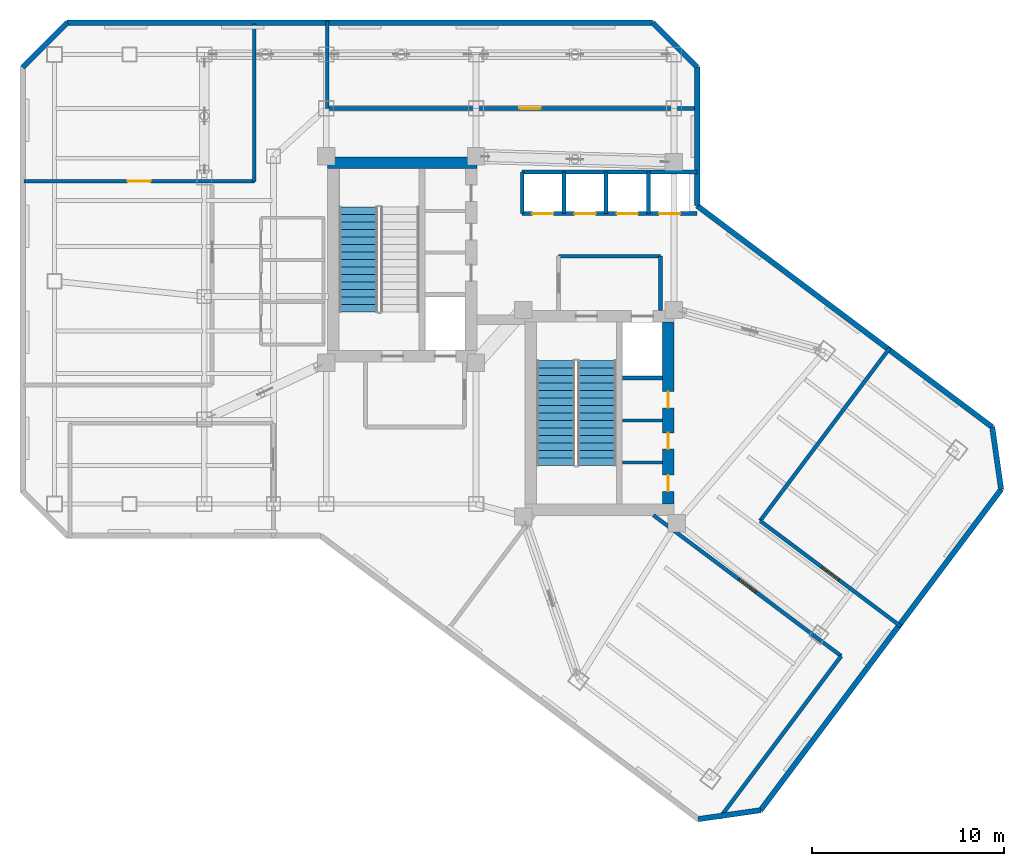
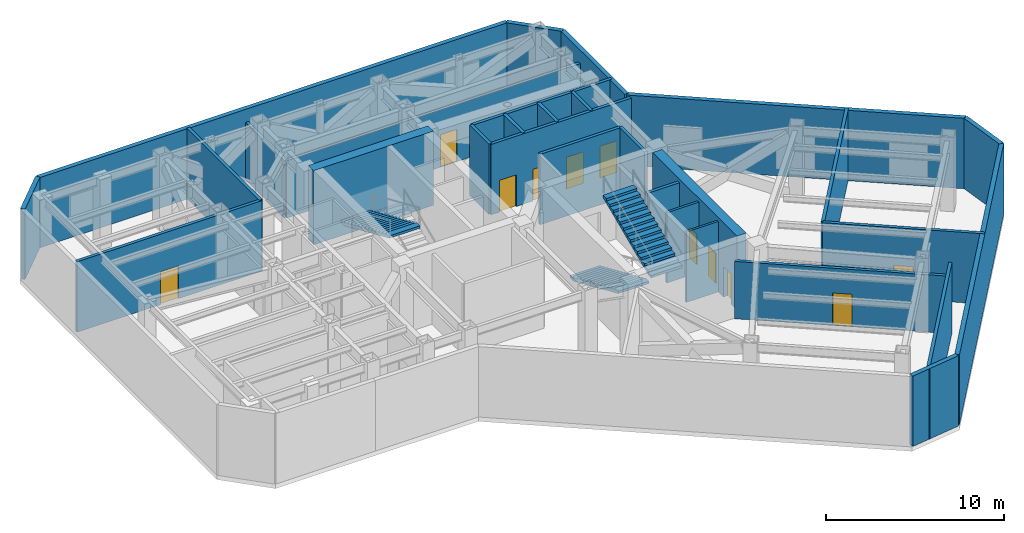
# One storey, part 8 of 12: 29 walls, 11 doors, 3 stair flights, 11 openings, 2 elements without a shape of their own.
"""IFC4 building model written with IfcOpenShell, lengths in metres."""

from ifc_helpers import new_model, si_unit, direction, frame, frame_2d, origin, place, context, subcontext, project, spatial, polyline, rectangle, outline, extrude, material, layer, layer_set, type_object, element, fill, aggregate, save


model = new_model("IFC4")

# Units and contexts
model_context = context("Model", 3, precision=1e-05, world=origin(), true_north=direction((0.0, 1.0)))
body_context = subcontext(model_context, "Body", "Model", "MODEL_VIEW")
ifc_project = project(units=[si_unit("LENGTHUNIT", "METRE"), si_unit("AREAUNIT", "SQUARE_METRE"), si_unit("VOLUMEUNIT", "CUBIC_METRE"), si_unit("PLANEANGLEUNIT", "RADIAN"), si_unit("MASSUNIT", "GRAM", prefix="KILO")], contexts=[model_context])

# Site, building, storey
site_placement = place(None, origin())
site = spatial("IfcSite", under=ifc_project, at=site_placement, CompositionType="ELEMENT")
building_placement = place(site_placement, origin())
building = spatial("IfcBuilding", under=site, at=building_placement, Name="Hatsunagi Terrace Concourse", CompositionType="ELEMENT")
storey_placement = place(building_placement, frame((0.0, 0.0, 181.64990234375)))
storey = spatial("IfcBuildingStorey", under=building, at=storey_placement, Name="L48", CompositionType="ELEMENT", Elevation=181.64990234375)

# Wall
ifc_material_1 = material(Name="Concrete Fc48", Category="concrete")
ifc_layer_1 = layer(ifc_material_1, 0.60009765625)
ifc_layer_set_1 = layer_set([ifc_layer_1], Name="CoreShearWall_Fc48_600")
wall_type_1 = type_object("IfcWallType", Name="CoreShearWall_Fc48_600", PredefinedType="SHEAR", material=ifc_layer_set_1)
wall_1_placement = place(storey_placement, frame((25.6201171875, 42.969970703125, 0.0), z_axis=(0.0, 0.0, 1.0), x_axis=(1.0, 0.0, 0.0)))
element("IfcWall", 1, at=wall_1_placement, inside=storey, type_object=wall_type_1, Name="Core A Shear Wall N L48", PredefinedType="SHEAR", context=body_context, shape_type="SweptSolid", body=[
    extrude(rectangle(XDim=7.77978515625, YDim=0.60009765625, at=frame_2d((3.889892578125, 0.0))), origin(), (0.0, 0.0, 1.0), 5.10009765625),
])

# Wall, openings, doors
wall_2_placement = place(storey_placement, frame((43.35009765625, 25.18994140625, 0.0), z_axis=(0.0, 0.0, 1.0), x_axis=(0.0, 1.0, 0.0)))
wall_2 = element("IfcWall", 2, at=wall_2_placement, inside=storey, type_object=wall_type_1, Name="Core B Shear Wall E L48", PredefinedType="SHEAR", context=body_context, shape_type="SweptSolid", body=[
    extrude(rectangle(XDim=9.47998046875, YDim=0.60009765625, at=frame_2d((4.739990234375, 0.0))), origin(), (0.0, 0.0, 1.0), 5.10009765625),
])
opening_1_placement = place(wall_2_placement, frame((0.659912109375, 0.0, 0.0)))
opening_1 = element("IfcOpeningElement", 3, at=opening_1_placement, cuts=wall_2, Name="Opening DR-085", PredefinedType="OPENING", context=body_context, shape_type="SweptSolid", body=[
    extrude(rectangle(XDim=0.85009765625, YDim=2.080078125, at=frame_2d((0.425048828125, 1.0400390625))), frame((0.0, 0.31005859375, 0.0), z_axis=(0.0, -1.0, 0.0), x_axis=(1.0, 0.0, 0.0)), (0.0, 0.0, 1.0), 0.6201171875),
])
opening_2_placement = place(wall_2_placement, frame((2.860107421875, 0.0, 0.0)))
opening_2 = element("IfcOpeningElement", 4, at=opening_2_placement, cuts=wall_2, Name="Opening DR-085", PredefinedType="OPENING", context=body_context, shape_type="SweptSolid", body=[
    extrude(rectangle(XDim=0.85009765625, YDim=2.080078125, at=frame_2d((0.425048828125, 1.0400390625))), frame((0.0, 0.31005859375, 0.0), z_axis=(0.0, -1.0, 0.0), x_axis=(1.0, 0.0, 0.0)), (0.0, 0.0, 1.0), 0.6201171875),
])
opening_3_placement = place(wall_2_placement, frame((5.010009765625, 0.0, 0.0)))
opening_3 = element("IfcOpeningElement", 5, at=opening_3_placement, cuts=wall_2, Name="Opening DR-085", PredefinedType="OPENING", context=body_context, shape_type="SweptSolid", body=[
    extrude(rectangle(XDim=0.85009765625, YDim=2.080078125, at=frame_2d((0.425048828125, 1.0400390625))), frame((0.0, 0.31005859375, 0.0), z_axis=(0.0, -1.0, 0.0), x_axis=(1.0, 0.0, 0.0)), (0.0, 0.0, 1.0), 0.6201171875),
])
ifc_material_2 = material(Name="Painted steel", Category="steel")
door_type_1 = type_object("IfcDoorType", Name="RiserAccessDoor_EI60_850", OperationType="NOTDEFINED", PredefinedType="DOOR", material=ifc_material_2)
door_1_placement = place(opening_1_placement, origin())
door_1 = element("IfcDoor", 6, at=door_1_placement, inside=storey, type_object=door_type_1, Name="Core B Riser Door L48-1", OperationType="SINGLE_SWING_RIGHT", OverallHeight=2.080078125, OverallWidth=0.85009765625, PredefinedType="DOOR", context=body_context, shape_type="SweptSolid", body=[
    extrude(rectangle(XDim=0.85009765625, YDim=2.080078125, at=frame_2d((0.425048828125, 1.0400390625))), frame((0.0, 0.02490234375, 0.0), z_axis=(0.0, -1.0, 0.0), x_axis=(1.0, 0.0, 0.0)), (0.0, 0.0, 1.0), 0.050048828125),
])
fill(opening_1, door_1)
door_2_placement = place(opening_2_placement, origin())
door_2 = element("IfcDoor", 7, at=door_2_placement, inside=storey, type_object=door_type_1, Name="Core B Riser Door L48-2", OperationType="SINGLE_SWING_RIGHT", OverallHeight=2.080078125, OverallWidth=0.85009765625, PredefinedType="DOOR", context=body_context, shape_type="SweptSolid", body=[
    extrude(rectangle(XDim=0.85009765625, YDim=2.080078125, at=frame_2d((0.425048828125, 1.0400390625))), frame((0.0, 0.02490234375, 0.0), z_axis=(0.0, -1.0, 0.0), x_axis=(1.0, 0.0, 0.0)), (0.0, 0.0, 1.0), 0.050048828125),
])
fill(opening_2, door_2)
door_3_placement = place(opening_3_placement, origin())
door_3 = element("IfcDoor", 8, at=door_3_placement, inside=storey, type_object=door_type_1, Name="Core B Riser Door L48-3", OperationType="SINGLE_SWING_RIGHT", OverallHeight=2.080078125, OverallWidth=0.85009765625, PredefinedType="DOOR", context=body_context, shape_type="SweptSolid", body=[
    extrude(rectangle(XDim=0.85009765625, YDim=2.080078125, at=frame_2d((0.425048828125, 1.0400390625))), frame((0.0, 0.02490234375, 0.0), z_axis=(0.0, -1.0, 0.0), x_axis=(1.0, 0.0, 0.0)), (0.0, 0.0, 1.0), 0.050048828125),
])
fill(opening_3, door_3)

# Walls
ifc_material_3 = material(Name="Acoustic mineral board", Category="gypsum")
ifc_layer_2 = layer(ifc_material_3, 0.14990234375)
ifc_layer_set_2 = layer_set([ifc_layer_2], Name="PartitionWall_EI60_150")
wall_type_2 = type_object("IfcWallType", Name="PartitionWall_EI60_150", PredefinedType="PARTITIONING", material=ifc_layer_set_2)
for number, where, z_axis, x_axis, name in (
    (9, (40.969970703125, 27.35009765625, 0.0), (0.0, 0.0, 1.0), (1.0, 0.0, 0.0), "Interior Partition IW-L48-005"),
    (10, (40.969970703125, 29.550048828125, 0.0), (0.0, 0.0, 1.0), (1.0, 0.0, 0.0), "Interior Partition IW-L48-006"),
):
    element("IfcWall", number, at=place(storey_placement, frame(where, z_axis=z_axis, x_axis=x_axis)), inside=storey, type_object=wall_type_2, Name=name, PredefinedType="PARTITIONING", context=body_context, shape_type="SweptSolid", body=[
        extrude(rectangle(XDim=2.080078125, YDim=0.14990234375, at=frame_2d((1.0400390625, 0.0))), origin(), (0.0, 0.0, 1.0), 4.840087890625),
    ])
ifc_material_4 = material(Name="Acoustic mineral board", Category="gypsum")
ifc_layer_3 = layer(ifc_material_4, 0.199951171875)
ifc_layer_set_3 = layer_set([ifc_layer_3], Name="ShaftWall_EI120_200")
wall_type_3 = type_object("IfcWallType", Name="ShaftWall_EI120_200", PredefinedType="STANDARD", material=ifc_layer_set_3)
wall_3_placement = place(storey_placement, frame((40.969970703125, 31.760009765625, 0.0), z_axis=(0.0, 0.0, 1.0), x_axis=(1.0, 0.0, 0.0)))
element("IfcWall", 11, at=wall_3_placement, inside=storey, type_object=wall_type_3, Name="Interior Partition IW-L48-004", PredefinedType="STANDARD", context=body_context, shape_type="SweptSolid", body=[
    extrude(rectangle(XDim=2.080078125, YDim=0.199951171875, at=frame_2d((1.0400390625, 0.0))), origin(), (0.0, 0.0, 1.0), 4.840087890625),
])
wall_4_placement = place(storey_placement, frame((37.64990234375, 38.10009765625, 0.0), z_axis=(0.0, 0.0, 1.0), x_axis=(1.0, 0.0, 0.0)))
element("IfcWall", 12, at=wall_4_placement, inside=storey, type_object=wall_type_3, Name="Interior Partition IW-L48-010", PredefinedType="STANDARD", context=body_context, shape_type="SweptSolid", body=[
    extrude(rectangle(XDim=5.300048828125, YDim=0.199951171875, at=frame_2d((2.64990234375, 0.0))), origin(), (0.0, 0.0, 1.0), 4.840087890625),
])
wall_5_placement = place(storey_placement, frame((42.949951171875, 35.27001953125, 0.0), z_axis=(0.0, 0.0, 1.0), x_axis=(0.0, 1.0, 0.0)))
element("IfcWall", 13, at=wall_5_placement, inside=storey, type_object=wall_type_3, Name="Interior Partition IW-L48-011", PredefinedType="STANDARD", context=body_context, shape_type="SweptSolid", body=[
    extrude(rectangle(XDim=2.830078125, YDim=0.199951171875, at=frame_2d((1.4150390625, 0.0))), origin(), (0.0, 0.0, 1.0), 4.840087890625),
])
wall_6_placement = place(storey_placement, frame((35.75, 42.47998046875, 0.0), z_axis=(0.0, 0.0, 1.0), x_axis=(1.0, 0.0, 0.0)))
element("IfcWall", 14, at=wall_6_placement, inside=storey, type_object=wall_type_3, Name="Interior Partition IW-L48-013", PredefinedType="STANDARD", context=body_context, shape_type="SweptSolid", body=[
    extrude(rectangle(XDim=9.110107421875, YDim=0.199951171875, at=frame_2d((4.55517578125, 0.0))), origin(), (0.0, 0.0, 1.0), 4.840087890625),
])
for number, where, z_axis, x_axis, name in (
    (15, (35.75, 40.320068359375, 0.0), (0.0, 0.0, 1.0), (0.0, 1.0, 0.0), "Interior Partition IW-L48-014"),
    (16, (37.919921875, 40.320068359375, 0.0), (0.0, 0.0, 1.0), (0.0, 1.0, 0.0), "Interior Partition IW-L48-015"),
    (17, (40.1201171875, 40.320068359375, 0.0), (0.0, 0.0, 1.0), (0.0, 1.0, 0.0), "Interior Partition IW-L48-016"),
    (18, (42.320068359375, 40.320068359375, 0.0), (0.0, 0.0, 1.0), (0.0, 1.0, 0.0), "Interior Partition IW-L48-017"),
):
    element("IfcWall", number, at=place(storey_placement, frame(where, z_axis=z_axis, x_axis=x_axis)), inside=storey, type_object=wall_type_3, Name=name, PredefinedType="STANDARD", context=body_context, shape_type="SweptSolid", body=[
        extrude(rectangle(XDim=2.159912109375, YDim=0.199951171875, at=frame_2d((1.080078125, 0.0))), origin(), (0.0, 0.0, 1.0), 4.840087890625),
    ])

# Wall, openings, doors
wall_7_placement = place(storey_placement, frame((35.75, 40.320068359375, 0.0), z_axis=(0.0, 0.0, 1.0), x_axis=(1.0, 0.0, 0.0)))
wall_7 = element("IfcWall", 19, at=wall_7_placement, inside=storey, type_object=wall_type_3, Name="Interior Partition IW-L48-018", PredefinedType="STANDARD", context=body_context, shape_type="SweptSolid", body=[
    extrude(rectangle(XDim=9.110107421875, YDim=0.199951171875, at=frame_2d((4.55517578125, 0.0))), origin(), (0.0, 0.0, 1.0), 4.840087890625),
])
opening_4_placement = place(wall_7_placement, frame((0.530029296875, 0.0, 0.0)))
opening_4 = element("IfcOpeningElement", 20, at=opening_4_placement, cuts=wall_7, Name="Opening LD-04", PredefinedType="OPENING", context=body_context, shape_type="SweptSolid", body=[
    extrude(rectangle(XDim=1.10009765625, YDim=2.179931640625, at=frame_2d((0.550048828125, 1.08984375))), frame((0.0, 0.10986328125, 0.0), z_axis=(0.0, -1.0, 0.0), x_axis=(1.0, 0.0, 0.0)), (0.0, 0.0, 1.0), 0.219970703125),
])
opening_5_placement = place(wall_7_placement, frame((2.72998046875, 0.0, 0.0)))
opening_5 = element("IfcOpeningElement", 21, at=opening_5_placement, cuts=wall_7, Name="Opening LD-04", PredefinedType="OPENING", context=body_context, shape_type="SweptSolid", body=[
    extrude(rectangle(XDim=1.10009765625, YDim=2.179931640625, at=frame_2d((0.550048828125, 1.08984375))), frame((0.0, 0.10986328125, 0.0), z_axis=(0.0, -1.0, 0.0), x_axis=(1.0, 0.0, 0.0)), (0.0, 0.0, 1.0), 0.219970703125),
])
opening_6_placement = place(wall_7_placement, frame((4.929931640625, 0.0, 0.0)))
opening_6 = element("IfcOpeningElement", 22, at=opening_6_placement, cuts=wall_7, Name="Opening LD-04", PredefinedType="OPENING", context=body_context, shape_type="SweptSolid", body=[
    extrude(rectangle(XDim=1.10009765625, YDim=2.179931640625, at=frame_2d((0.550048828125, 1.08984375))), frame((0.0, 0.10986328125, 0.0), z_axis=(0.0, -1.0, 0.0), x_axis=(1.0, 0.0, 0.0)), (0.0, 0.0, 1.0), 0.219970703125),
])
opening_7_placement = place(wall_7_placement, frame((7.1298828125, 0.0, 0.0)))
opening_7 = element("IfcOpeningElement", 23, at=opening_7_placement, cuts=wall_7, Name="Opening LD-04", PredefinedType="OPENING", context=body_context, shape_type="SweptSolid", body=[
    extrude(rectangle(XDim=1.10009765625, YDim=2.179931640625, at=frame_2d((0.550048828125, 1.08984375))), frame((0.0, 0.10986328125, 0.0), z_axis=(0.0, -1.0, 0.0), x_axis=(1.0, 0.0, 0.0)), (0.0, 0.0, 1.0), 0.219970703125),
])
ifc_material_5 = material(Name="Stainless steel", Category="steel")
door_type_2 = type_object("IfcDoorType", Name="LiftLandingDoor_LD04", OperationType="SLIDING_TO_RIGHT", PredefinedType="USERDEFINED", material=ifc_material_5)
door_4_placement = place(opening_4_placement, origin())
door_4 = element("IfcDoor", 24, at=door_4_placement, inside=storey, type_object=door_type_2, Name="Lift landing door PL-05 L48", ObjectType="SLIDING_LANDING_DOOR", OperationType="SLIDING_TO_RIGHT", OverallHeight=2.179931640625, OverallWidth=1.10009765625, PredefinedType="USERDEFINED", context=body_context, shape_type="SweptSolid", body=[
    extrude(rectangle(XDim=1.10009765625, YDim=2.179931640625, at=frame_2d((0.550048828125, 1.08984375))), frame((0.0, 0.02490234375, 0.0), z_axis=(0.0, -1.0, 0.0), x_axis=(1.0, 0.0, 0.0)), (0.0, 0.0, 1.0), 0.050048828125),
])
fill(opening_4, door_4)
door_5_placement = place(opening_5_placement, origin())
door_5 = element("IfcDoor", 25, at=door_5_placement, inside=storey, type_object=door_type_2, Name="Lift landing door PL-06 L48", ObjectType="SLIDING_LANDING_DOOR", OperationType="SLIDING_TO_RIGHT", OverallHeight=2.179931640625, OverallWidth=1.10009765625, PredefinedType="USERDEFINED", context=body_context, shape_type="SweptSolid", body=[
    extrude(rectangle(XDim=1.10009765625, YDim=2.179931640625, at=frame_2d((0.550048828125, 1.08984375))), frame((0.0, 0.02490234375, 0.0), z_axis=(0.0, -1.0, 0.0), x_axis=(1.0, 0.0, 0.0)), (0.0, 0.0, 1.0), 0.050048828125),
])
fill(opening_5, door_5)
door_6_placement = place(opening_6_placement, origin())
door_6 = element("IfcDoor", 26, at=door_6_placement, inside=storey, type_object=door_type_2, Name="Lift landing door PL-07 L48", ObjectType="SLIDING_LANDING_DOOR", OperationType="SLIDING_TO_RIGHT", OverallHeight=2.179931640625, OverallWidth=1.10009765625, PredefinedType="USERDEFINED", context=body_context, shape_type="SweptSolid", body=[
    extrude(rectangle(XDim=1.10009765625, YDim=2.179931640625, at=frame_2d((0.550048828125, 1.08984375))), frame((0.0, 0.02490234375, 0.0), z_axis=(0.0, -1.0, 0.0), x_axis=(1.0, 0.0, 0.0)), (0.0, 0.0, 1.0), 0.050048828125),
])
fill(opening_6, door_6)
door_7_placement = place(opening_7_placement, origin())
door_7 = element("IfcDoor", 27, at=door_7_placement, inside=storey, type_object=door_type_2, Name="Lift landing door PL-08 L48", ObjectType="SLIDING_LANDING_DOOR", OperationType="SLIDING_TO_RIGHT", OverallHeight=2.179931640625, OverallWidth=1.10009765625, PredefinedType="USERDEFINED", context=body_context, shape_type="SweptSolid", body=[
    extrude(rectangle(XDim=1.10009765625, YDim=2.179931640625, at=frame_2d((0.550048828125, 1.08984375))), frame((0.0, 0.02490234375, 0.0), z_axis=(0.0, -1.0, 0.0), x_axis=(1.0, 0.0, 0.0)), (0.0, 0.0, 1.0), 0.050048828125),
])
fill(opening_7, door_7)

# Wall, opening, door
wall_8_placement = place(storey_placement, frame((48.139892578125, 24.320068359375, 0.0), z_axis=(0.0, 0.0, 1.0), x_axis=(0.8, -0.6, 0.0)))
wall_8 = element("IfcWall", 28, at=wall_8_placement, inside=storey, type_object=wall_type_3, Name="Interior Partition IW-L48-030", PredefinedType="STANDARD", context=body_context, shape_type="SweptSolid", body=[
    extrude(rectangle(XDim=9.16015625, YDim=0.199951171875, at=frame_2d((4.580078125, 0.0))), origin(), (0.0, 0.0, 1.0), 4.840087890625),
])
opening_8_placement = place(wall_8_placement, frame((4.030029296875, 0.0, 0.0)))
opening_8 = element("IfcOpeningElement", 29, at=opening_8_placement, cuts=wall_8, Name="Opening DR-110F", PredefinedType="OPENING", context=body_context, shape_type="SweptSolid", body=[
    extrude(rectangle(XDim=1.10009765625, YDim=2.239990234375, at=frame_2d((0.550048828125, 1.1201171875))), frame((0.0, 0.10986328125, 0.0), z_axis=(0.0, -1.0, 0.0), x_axis=(1.0, 0.0, 0.0)), (0.0, 0.0, 1.0), 0.219970703125),
])
ifc_material_6 = material(Name="Painted steel", Category="steel")
door_type_3 = type_object("IfcDoorType", Name="FireDoor_EI60_1100", OperationType="NOTDEFINED", PredefinedType="DOOR", material=ifc_material_6)
door_8_placement = place(opening_8_placement, origin())
door_8 = element("IfcDoor", 30, at=door_8_placement, inside=storey, type_object=door_type_3, Name="Refuge Area L48-REF2 Door", OperationType="SINGLE_SWING_LEFT", OverallHeight=2.239990234375, OverallWidth=1.10009765625, PredefinedType="DOOR", context=body_context, shape_type="SweptSolid", body=[
    extrude(rectangle(XDim=1.10009765625, YDim=2.239990234375, at=frame_2d((0.550048828125, 1.1201171875))), frame((0.0, 0.02490234375, 0.0), z_axis=(0.0, -1.0, 0.0), x_axis=(1.0, 0.0, 0.0)), (0.0, 0.0, 1.0), 0.050048828125),
])
fill(opening_8, door_8)

# Wall
wall_9_placement = place(storey_placement, frame((48.139892578125, 24.320068359375, 0.0), z_axis=(0.0, 0.0, 1.0), x_axis=(0.600013876572, 0.799989592383, 0.0)))
element("IfcWall", 31, at=wall_9_placement, inside=storey, type_object=wall_type_3, Name="Interior Partition IW-L48-031", PredefinedType="STANDARD", context=body_context, shape_type="SweptSolid", body=[
    extrude(rectangle(XDim=11.260009765625, YDim=0.199951171875, at=frame_2d((5.6298828125, 0.0))), origin(), (0.0, 0.0, 1.0), 4.840087890625),
])

# Wall, opening, door
wall_10_placement = place(storey_placement, frame((9.800048828125, 42.0, 0.0), z_axis=(0.0, 0.0, 1.0), x_axis=(1.0, 0.0, 0.0)))
wall_10 = element("IfcWall", 32, at=wall_10_placement, inside=storey, type_object=wall_type_3, Name="Interior Partition IW-L48-032", PredefinedType="STANDARD", context=body_context, shape_type="SweptSolid", body=[
    extrude(rectangle(XDim=12.0, YDim=0.199951171875, at=frame_2d((6.0, 0.0))), origin(), (0.0, 0.0, 1.0), 4.840087890625),
])
opening_9_placement = place(wall_10_placement, frame((5.39990234375, 0.0, 0.0)))
opening_9 = element("IfcOpeningElement", 33, at=opening_9_placement, cuts=wall_10, Name="Opening DR-120", PredefinedType="OPENING", context=body_context, shape_type="SweptSolid", body=[
    extrude(rectangle(XDim=1.199951171875, YDim=2.25, at=frame_2d((0.60009765625, 1.125))), frame((0.0, 0.10986328125, 0.0), z_axis=(0.0, -1.0, 0.0), x_axis=(1.0, 0.0, 0.0)), (0.0, 0.0, 1.0), 0.219970703125),
])
ifc_material_7 = material(Name="Painted steel", Category="steel")
door_type_4 = type_object("IfcDoorType", Name="PlantDoubleDoor_1200", OperationType="DOUBLE_DOOR_SINGLE_SWING", PredefinedType="DOOR", material=ifc_material_7)
door_9_placement = place(opening_9_placement, origin())
door_9 = element("IfcDoor", 34, at=door_9_placement, inside=storey, type_object=door_type_4, Name="Air Handling Plant Room L48-AHU Door", OperationType="DOUBLE_DOOR_SINGLE_SWING", OverallHeight=2.25, OverallWidth=1.199951171875, PredefinedType="DOOR", context=body_context, shape_type="SweptSolid", body=[
    extrude(rectangle(XDim=1.199951171875, YDim=2.25, at=frame_2d((0.60009765625, 1.125))), frame((0.0, 0.02490234375, 0.0), z_axis=(0.0, -1.0, 0.0), x_axis=(1.0, 0.0, 0.0)), (0.0, 0.0, 1.0), 0.050048828125),
])
fill(opening_9, door_9)

# Wall
wall_11_placement = place(storey_placement, frame((21.800048828125, 42.0, 0.0), z_axis=(0.0, 0.0, 1.0), x_axis=(0.0, 1.0, 0.0)))
element("IfcWall", 35, at=wall_11_placement, inside=storey, type_object=wall_type_3, Name="Interior Partition IW-L48-033", PredefinedType="STANDARD", context=body_context, shape_type="SweptSolid", body=[
    extrude(rectangle(XDim=8.199951171875, YDim=0.199951171875, at=frame_2d((4.10009765625, 0.0))), origin(), (0.0, 0.0, 1.0), 4.840087890625),
])

# Wall, opening, door
wall_12_placement = place(storey_placement, frame((25.60009765625, 45.800048828125, 0.0), z_axis=(0.0, 0.0, 1.0), x_axis=(1.0, 0.0, 0.0)))
wall_12 = element("IfcWall", 36, at=wall_12_placement, inside=storey, type_object=wall_type_3, Name="Interior Partition IW-L48-034", PredefinedType="STANDARD", context=body_context, shape_type="SweptSolid", body=[
    extrude(rectangle(XDim=19.35986328125, YDim=0.199951171875, at=frame_2d((9.679931640625, 0.0))), origin(), (0.0, 0.0, 1.0), 3.945068359375),
])
opening_10_placement = place(wall_12_placement, frame((10.0048828125, 0.0, 0.0)))
opening_10 = element("IfcOpeningElement", 37, at=opening_10_placement, cuts=wall_12, Name="Opening DR-110F", PredefinedType="OPENING", context=body_context, shape_type="SweptSolid", body=[
    extrude(rectangle(XDim=1.10009765625, YDim=2.239990234375, at=frame_2d((0.550048828125, 1.1201171875))), frame((0.0, 0.10986328125, 0.0), z_axis=(0.0, -1.0, 0.0), x_axis=(1.0, 0.0, 0.0)), (0.0, 0.0, 1.0), 0.219970703125),
])
door_10_placement = place(opening_10_placement, origin())
door_10 = element("IfcDoor", 38, at=door_10_placement, inside=storey, type_object=door_type_3, Name="Water Tank Room L48-WTK Door", OperationType="SINGLE_SWING_LEFT", OverallHeight=2.239990234375, OverallWidth=1.10009765625, PredefinedType="DOOR", context=body_context, shape_type="SweptSolid", body=[
    extrude(rectangle(XDim=1.10009765625, YDim=2.239990234375, at=frame_2d((0.550048828125, 1.1201171875))), frame((0.0, 0.02490234375, 0.0), z_axis=(0.0, -1.0, 0.0), x_axis=(1.0, 0.0, 0.0)), (0.0, 0.0, 1.0), 0.050048828125),
])
fill(opening_10, door_10)

# Wall
wall_13_placement = place(storey_placement, frame((25.60009765625, 45.800048828125, 0.0), z_axis=(0.0, 0.0, 1.0), x_axis=(0.0, 1.0, 0.0)))
element("IfcWall", 39, at=wall_13_placement, inside=storey, type_object=wall_type_3, Name="Interior Partition IW-L48-035", PredefinedType="STANDARD", context=body_context, shape_type="SweptSolid", body=[
    extrude(rectangle(XDim=4.56005859375, YDim=0.199951171875, at=frame_2d((2.280029296875, 0.0))), origin(), (0.0, 0.0, 1.0), 3.945068359375),
])

# Wall, opening, door
wall_14_placement = place(storey_placement, frame((42.5869140625, 24.610107421875, 0.0), z_axis=(0.0, 0.0, 1.0), x_axis=(0.799992805583, -0.600009592436, 0.0)))
wall_14 = element("IfcWall", 40, at=wall_14_placement, inside=storey, type_object=wall_type_3, Name="Interior Partition IW-L48-036", PredefinedType="STANDARD", context=body_context, shape_type="SweptSolid", body=[
    extrude(rectangle(XDim=12.216552734375, YDim=0.199951171875, at=frame_2d((6.1083984375, 0.0))), origin(), (0.0, 0.0, 1.0), 3.945068359375),
])
opening_11_placement = place(wall_14_placement, frame((5.55810546875, 0.0, 0.0)))
opening_11 = element("IfcOpeningElement", 41, at=opening_11_placement, cuts=wall_14, Name="Opening DR-110F", PredefinedType="OPENING", context=body_context, shape_type="SweptSolid", body=[
    extrude(rectangle(XDim=1.10009765625, YDim=2.239990234375, at=frame_2d((0.550048828125, 1.1201171875))), frame((0.0, 0.10986328125, 0.0), z_axis=(0.0, -1.0, 0.0), x_axis=(1.0, 0.0, 0.0)), (0.0, 0.0, 1.0), 0.219970703125),
])
door_11_placement = place(opening_11_placement, origin())
door_11 = element("IfcDoor", 42, at=door_11_placement, inside=storey, type_object=door_type_3, Name="Chiller Heat Exchanger Room L48-HEX Door", OperationType="SINGLE_SWING_RIGHT", OverallHeight=2.239990234375, OverallWidth=1.10009765625, PredefinedType="DOOR", context=body_context, shape_type="SweptSolid", body=[
    extrude(rectangle(XDim=1.10009765625, YDim=2.239990234375, at=frame_2d((0.550048828125, 1.1201171875))), frame((0.0, 0.02490234375, 0.0), z_axis=(0.0, -1.0, 0.0), x_axis=(1.0, 0.0, 0.0)), (0.0, 0.0, 1.0), 0.050048828125),
])
fill(opening_11, door_11)

# Walls
wall_15_placement = place(storey_placement, frame((46.033935546875, 8.844970703125, 0.0), z_axis=(0.0, 0.0, 1.0), x_axis=(0.599992590371, 0.800005557168, 0.0)))
element("IfcWall", 43, at=wall_15_placement, inside=storey, type_object=wall_type_3, Name="Interior Partition IW-L48-038", PredefinedType="STANDARD", context=body_context, shape_type="SweptSolid", body=[
    extrude(rectangle(XDim=10.543701171875, YDim=0.199951171875, at=frame_2d((5.27197265625, 0.0))), origin(), (0.0, 0.0, 1.0), 4.840087890625),
])
ifc_material_8 = material(Name="Autoclaved Lightweight Concrete and Terracotta Cladding", Category="masonry")
ifc_layer_4 = layer(ifc_material_8, 0.280029296875)
ifc_layer_set_4 = layer_set([ifc_layer_4], Name="TerracottaSpandrelWall_280")
wall_type_4 = type_object("IfcWallType", Name="TerracottaSpandrelWall_280", PredefinedType="STANDARD", material=ifc_layer_set_4)
wall_16_placement = place(storey_placement, frame((44.860107421875, 40.72998046875, 0.0), z_axis=(0.0, 0.0, 1.0), x_axis=(0.800007624502, -0.599989833863, 0.0)))
element("IfcWall", 44, at=wall_16_placement, inside=storey, type_object=wall_type_4, Name="Exterior Spandrel Wall EW-L48-01", PredefinedType="STANDARD", context=body_context, shape_type="SweptSolid", body=[
    extrude(rectangle(XDim=19.212158203125, YDim=0.280029296875, at=frame_2d((9.60595703125, 0.0))), origin(), (0.0, 0.0, 1.0), 4.840087890625),
])
wall_17_placement = place(storey_placement, frame((60.22998046875, 29.202880859375, 0.0), z_axis=(0.0, 0.0, 1.0), x_axis=(0.141296221922, -0.989967361922, 0.0)))
element("IfcWall", 45, at=wall_17_placement, inside=storey, type_object=wall_type_4, Name="Exterior Spandrel Wall EW-L48-02", PredefinedType="STANDARD", context=body_context, shape_type="SweptSolid", body=[
    extrude(rectangle(XDim=3.27783203125, YDim=0.280029296875, at=frame_2d((1.638916015625, 0.0))), origin(), (0.0, 0.0, 1.0), 4.840087890625),
])
wall_18_placement = place(storey_placement, frame((60.693115234375, 25.9580078125, 0.0), z_axis=(0.0, 0.0, 1.0), x_axis=(-0.599970072971, -0.800022444397, 0.0)))
element("IfcWall", 46, at=wall_18_placement, inside=storey, type_object=wall_type_4, Name="Exterior Spandrel Wall EW-L48-03", PredefinedType="STANDARD", context=body_context, shape_type="SweptSolid", body=[
    extrude(rectangle(XDim=20.884521484375, YDim=0.280029296875, at=frame_2d((10.4423828125, 0.0))), origin(), (0.0, 0.0, 1.0), 4.840087890625),
])
wall_19_placement = place(storey_placement, frame((48.1630859375, 9.25, 0.0), z_axis=(0.0, 0.0, 1.0), x_axis=(-0.989979263428, -0.141212810973, 0.0)))
element("IfcWall", 47, at=wall_19_placement, inside=storey, type_object=wall_type_4, Name="Exterior Spandrel Wall EW-L48-04", PredefinedType="STANDARD", context=body_context, shape_type="SweptSolid", body=[
    extrude(rectangle(XDim=3.278076171875, YDim=0.280029296875, at=frame_2d((1.63916015625, 0.0))), origin(), (0.0, 0.0, 1.0), 4.840087890625),
])
wall_20_placement = place(storey_placement, frame((9.739990234375, 47.94189453125, 0.0), z_axis=(0.0, 0.0, 1.0), x_axis=(0.707106781187, 0.707106781187, 0.0)))
element("IfcWall", 48, at=wall_20_placement, inside=storey, type_object=wall_type_4, Name="Exterior Spandrel Wall EW-L48-10", PredefinedType="STANDARD", context=body_context, shape_type="SweptSolid", body=[
    extrude(rectangle(XDim=3.2783203125, YDim=0.280029296875, at=frame_2d((1.63916015625, 0.0))), origin(), (0.0, 0.0, 1.0), 4.840087890625),
])
wall_21_placement = place(storey_placement, frame((12.05810546875, 50.260009765625, 0.0), z_axis=(0.0, 0.0, 1.0), x_axis=(1.0, 0.0, 0.0)))
element("IfcWall", 49, at=wall_21_placement, inside=storey, type_object=wall_type_4, Name="Exterior Spandrel Wall EW-L48-11", PredefinedType="STANDARD", context=body_context, shape_type="SweptSolid", body=[
    extrude(rectangle(XDim=30.48388671875, YDim=0.280029296875, at=frame_2d((15.241943359375, 0.0))), origin(), (0.0, 0.0, 1.0), 4.840087890625),
])
wall_22_placement = place(storey_placement, frame((42.5419921875, 50.260009765625, 0.0), z_axis=(0.0, 0.0, 1.0), x_axis=(0.707106781187, -0.707106781187, 0.0)))
element("IfcWall", 50, at=wall_22_placement, inside=storey, type_object=wall_type_4, Name="Exterior Spandrel Wall EW-L48-12", PredefinedType="STANDARD", context=body_context, shape_type="SweptSolid", body=[
    extrude(rectangle(XDim=3.2783203125, YDim=0.280029296875, at=frame_2d((1.63916015625, 0.0))), origin(), (0.0, 0.0, 1.0), 4.840087890625),
])
wall_23_placement = place(storey_placement, frame((44.860107421875, 47.94189453125, 0.0), z_axis=(0.0, 0.0, 1.0), x_axis=(0.0, -1.0, 0.0)))
element("IfcWall", 51, at=wall_23_placement, inside=storey, type_object=wall_type_4, Name="Exterior Spandrel Wall EW-L48-13", PredefinedType="STANDARD", context=body_context, shape_type="SweptSolid", body=[
    extrude(rectangle(XDim=7.2119140625, YDim=0.280029296875, at=frame_2d((3.60595703125, 0.0))), origin(), (0.0, 0.0, 1.0), 4.840087890625),
])

# Stair, stair flight
ifc_material_9 = material(Name="Concrete Fc42", Category="concrete")
stair_type = type_object("IfcStairType", Name="DoglegExitStair_Tower2000_30R_170", PredefinedType="HALF_TURN_STAIR", material=ifc_material_9)
stair_1_placement = place(storey_placement, origin())
stair_1 = element("IfcStair", 52, at=stair_1_placement, inside=storey, type_object=stair_type, Name="L48 Core A Protected Exit Stair ST-A", PredefinedType="HALF_TURN_STAIR")
ifc_material_10 = material(Name="Concrete Fc42", Category="concrete")
stair_flight_type = type_object("IfcStairFlightType", Name="DoglegStairFlight_Tower2000_30R_170", PredefinedType="STRAIGHT", material=ifc_material_10)
stair_flight_1_placement = place(storey_placement, frame((27.22998046875, 40.659912109375, 2.550048828125), z_axis=(0.0, 0.0, 1.0), x_axis=(0.0, -1.0, 0.0)))
stair_flight_1 = element("IfcStairFlight", 53, at=stair_flight_1_placement, type_object=stair_flight_type, Name="ST-A flight 2", NumberOfRisers=15, NumberOfTreads=14, PredefinedType="STRAIGHT", RiserHeight=0.17, TreadLength=0.39, context=body_context, shape_type="SweptSolid", body=[
    extrude(outline(polyline([(0.0, 0.0), (0.0, 0.169921875), (0.389892578125, 0.169921875), (0.389892578125, 0.340087890625), (0.780029296875, 0.340087890625), (0.780029296875, 0.510009765625), (1.169921875, 0.510009765625), (1.169921875, 0.679931640625), (1.56005859375, 0.679931640625), (1.56005859375, 0.85009765625), (1.949951171875, 0.85009765625), (1.949951171875, 1.02001953125), (2.340087890625, 1.02001953125), (2.340087890625, 1.18994140625), (2.72998046875, 1.18994140625), (2.72998046875, 1.360107421875), (3.1201171875, 1.360107421875), (3.1201171875, 1.530029296875), (3.510009765625, 1.530029296875), (3.510009765625, 1.699951171875), (3.89990234375, 1.699951171875), (3.89990234375, 1.8701171875), (4.2900390625, 1.8701171875), (4.2900390625, 2.0400390625), (4.679931640625, 2.0400390625), (4.679931640625, 2.2099609375), (5.070068359375, 2.2099609375), (5.070068359375, 2.3798828125), (5.4599609375, 2.3798828125), (5.4599609375, 2.550048828125), (5.4599609375, 2.216552734375), (0.375244140625, 0.0), (0.0, 0.0)])), frame((0.0, 1.0, 0.0), z_axis=(0.0, -1.0, 0.0), x_axis=(1.0, 0.0, 0.0)), (0.0, 0.0, 1.0), 2.0),
])
aggregate(stair_1, [stair_flight_1])

# Stair, stair flights
stair_2_placement = place(storey_placement, origin())
stair_2 = element("IfcStair", 54, at=stair_2_placement, inside=storey, type_object=stair_type, Name="L48 Core B Protected Exit Stair ST-B", PredefinedType="HALF_TURN_STAIR")
stair_flight_2_placement = place(storey_placement, frame((37.5, 32.659912109375, 0.0), z_axis=(0.0, 0.0, 1.0), x_axis=(0.0, -1.0, 0.0)))
stair_flight_2 = element("IfcStairFlight", 55, at=stair_flight_2_placement, type_object=stair_flight_type, Name="ST-B flight 1", NumberOfRisers=15, NumberOfTreads=14, PredefinedType="STRAIGHT", RiserHeight=0.17, TreadLength=0.39, context=body_context, shape_type="SweptSolid", body=[
    extrude(outline(polyline([(0.0, 0.0), (0.0, 0.169921875), (0.389892578125, 0.169921875), (0.389892578125, 0.340087890625), (0.780029296875, 0.340087890625), (0.780029296875, 0.510009765625), (1.169921875, 0.510009765625), (1.169921875, 0.679931640625), (1.56005859375, 0.679931640625), (1.56005859375, 0.85009765625), (1.949951171875, 0.85009765625), (1.949951171875, 1.02001953125), (2.340087890625, 1.02001953125), (2.340087890625, 1.18994140625), (2.72998046875, 1.18994140625), (2.72998046875, 1.360107421875), (3.1201171875, 1.360107421875), (3.1201171875, 1.530029296875), (3.510009765625, 1.530029296875), (3.510009765625, 1.699951171875), (3.89990234375, 1.699951171875), (3.89990234375, 1.8701171875), (4.2900390625, 1.8701171875), (4.2900390625, 2.0400390625), (4.679931640625, 2.0400390625), (4.679931640625, 2.2099609375), (5.070068359375, 2.2099609375), (5.070068359375, 2.3798828125), (5.4599609375, 2.3798828125), (5.4599609375, 2.550048828125), (5.4599609375, 2.216552734375), (0.375244140625, 0.0), (0.0, 0.0)])), frame((0.0, 1.0, 0.0), z_axis=(0.0, -1.0, 0.0), x_axis=(1.0, 0.0, 0.0)), (0.0, 0.0, 1.0), 2.0),
])
stair_flight_3_placement = place(storey_placement, frame((39.64990234375, 27.199951171875, 2.550048828125), z_axis=(0.0, 0.0, 1.0), x_axis=(0.0, 1.0, 0.0)))
stair_flight_3 = element("IfcStairFlight", 56, at=stair_flight_3_placement, type_object=stair_flight_type, Name="ST-B flight 2", NumberOfRisers=15, NumberOfTreads=14, PredefinedType="STRAIGHT", RiserHeight=0.17, TreadLength=0.39, context=body_context, shape_type="SweptSolid", body=[
    extrude(outline(polyline([(0.0, 0.0), (0.0, 0.169921875), (0.389892578125, 0.169921875), (0.389892578125, 0.340087890625), (0.780029296875, 0.340087890625), (0.780029296875, 0.510009765625), (1.169921875, 0.510009765625), (1.169921875, 0.679931640625), (1.56005859375, 0.679931640625), (1.56005859375, 0.85009765625), (1.949951171875, 0.85009765625), (1.949951171875, 1.02001953125), (2.340087890625, 1.02001953125), (2.340087890625, 1.18994140625), (2.72998046875, 1.18994140625), (2.72998046875, 1.360107421875), (3.1201171875, 1.360107421875), (3.1201171875, 1.530029296875), (3.510009765625, 1.530029296875), (3.510009765625, 1.699951171875), (3.89990234375, 1.699951171875), (3.89990234375, 1.8701171875), (4.2900390625, 1.8701171875), (4.2900390625, 2.0400390625), (4.679931640625, 2.0400390625), (4.679931640625, 2.2099609375), (5.070068359375, 2.2099609375), (5.070068359375, 2.3798828125), (5.4599609375, 2.3798828125), (5.4599609375, 2.550048828125), (5.4599609375, 2.216552734375), (0.375244140625, 0.0), (0.0, 0.0)])), frame((0.0, 1.0, 0.0), z_axis=(0.0, -1.0, 0.0), x_axis=(1.0, 0.0, 0.0)), (0.0, 0.0, 1.0), 2.0),
])
aggregate(stair_2, [stair_flight_2, stair_flight_3])

save(model, "model.ifc")
